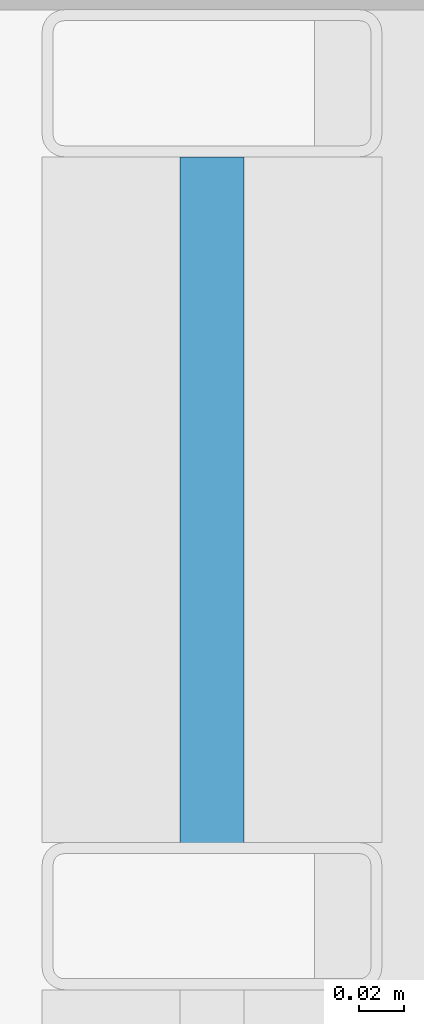
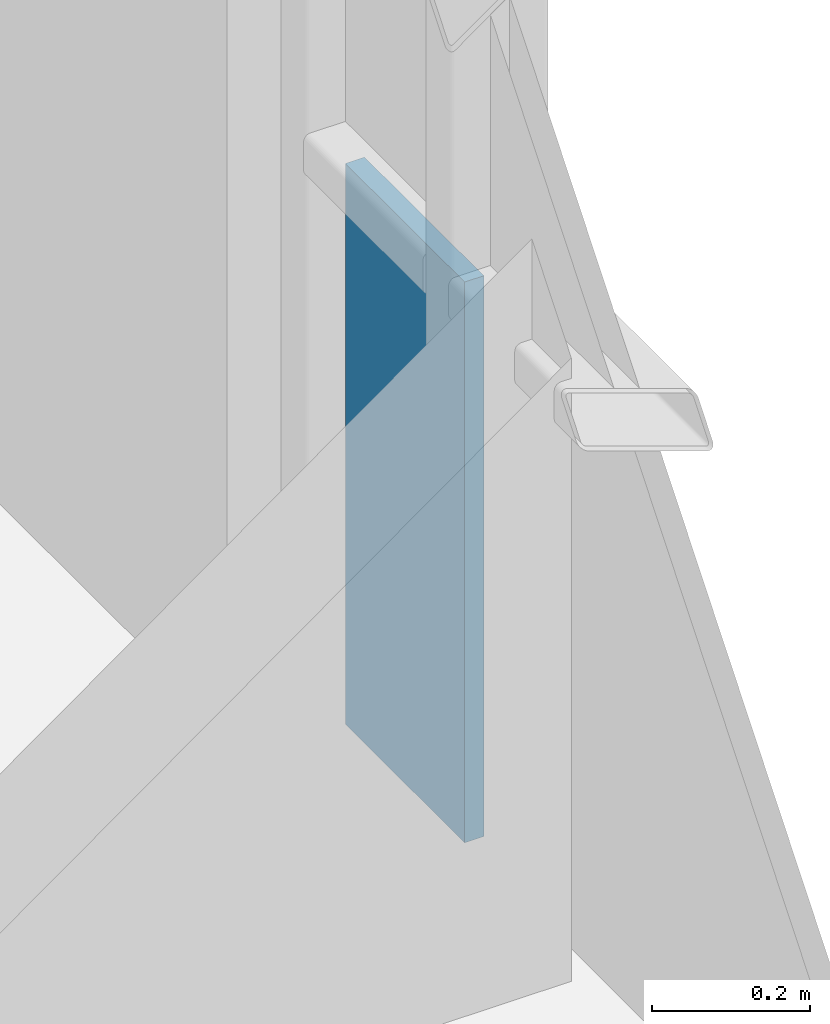
# One storey, part 30 of 41: 1 plate, 1 element without a shape of its own.
"""IFC4 building model written with IfcOpenShell, lengths in metres."""

from ifc_helpers import new_model, si_unit, direction, frame, origin, origin_2d, place, context, subcontext, project, spatial, rectangle, extrude, material, layer, layer_set, type_object, element, aggregate, save


model = new_model("IFC4")

# Units and contexts
model_context = context("Model", 3, precision=1e-05, world=origin(), true_north=direction((0.0, 1.0)))
body_context = subcontext(model_context, "Body", "Model", "MODEL_VIEW")
ifc_project = project(units=[si_unit("LENGTHUNIT", "METRE"), si_unit("AREAUNIT", "SQUARE_METRE"), si_unit("VOLUMEUNIT", "CUBIC_METRE"), si_unit("PLANEANGLEUNIT", "RADIAN"), si_unit("MASSUNIT", "GRAM", prefix="KILO")], contexts=[model_context])

# Site, building, storey
site_placement = place(None, origin())
site = spatial("IfcSite", under=ifc_project, at=site_placement, CompositionType="ELEMENT")
building_placement = place(site_placement, origin())
building = spatial("IfcBuilding", under=site, at=building_placement, Name="Brevholm Reach", CompositionType="ELEMENT")
storey_placement = place(building_placement, frame((0.0, 0.0, 100.39990234375)))
storey = spatial("IfcBuildingStorey", under=building, at=storey_placement, Name="L29", CompositionType="ELEMENT", Elevation=100.39990234375)

# Curtain wall, plate
ifc_material_1 = material(Name="Dark Anodised Aluminium 6063-T6 and Solar-Control Glass", Category="aluminium")
ifc_layer_1 = layer(ifc_material_1, 0.14990234375)
ifc_layer_set_1 = layer_set([ifc_layer_1], Name="Dark Anodised Aluminium 6063-T6 and Solar-Control Glass")
curtain_wall_type = type_object("IfcCurtainWallType", Name="CW-01", PredefinedType="NOTDEFINED", material=ifc_layer_set_1)
curtain_wall_placement = place(storey_placement, origin())
curtain_wall = element("IfcCurtainWall", 1, at=curtain_wall_placement, inside=storey, type_object=curtain_wall_type, Name="L29 Curtain Wall CW-01", PredefinedType="NOTDEFINED")
ifc_material_2 = material(Name="Dark Solar-Control Double-Glazed IGU Glass", Category="glass")
ifc_layer_2 = layer(ifc_material_2, 0.028076171875)
ifc_layer_set_2 = layer_set([ifc_layer_2], Name="Dark Solar-Control Double-Glazed IGU Glass")
plate_type = type_object("IfcPlateType", Name="CWP-GLZ-28", PredefinedType="CURTAIN_PANEL", material=ifc_layer_set_2)
plate_placement = place(storey_placement, frame((59.85009765625, 22.733642578125, 0.0), z_axis=(0.0, 0.0, 1.0), x_axis=(0.0, 1.0, 0.0)))
plate = element("IfcPlate", 2, at=plate_placement, type_object=plate_type, Name="CP-01 Glazing Panel 5.1", PredefinedType="CURTAIN_PANEL", context=body_context, shape_type="SweptSolid", body=[
    extrude(rectangle(XDim=0.302490234375, YDim=0.028076171875, at=origin_2d()), origin(), (0.0, 0.0, 1.0), 0.867431640625),
])
aggregate(curtain_wall, [plate])

save(model, "model.ifc")
